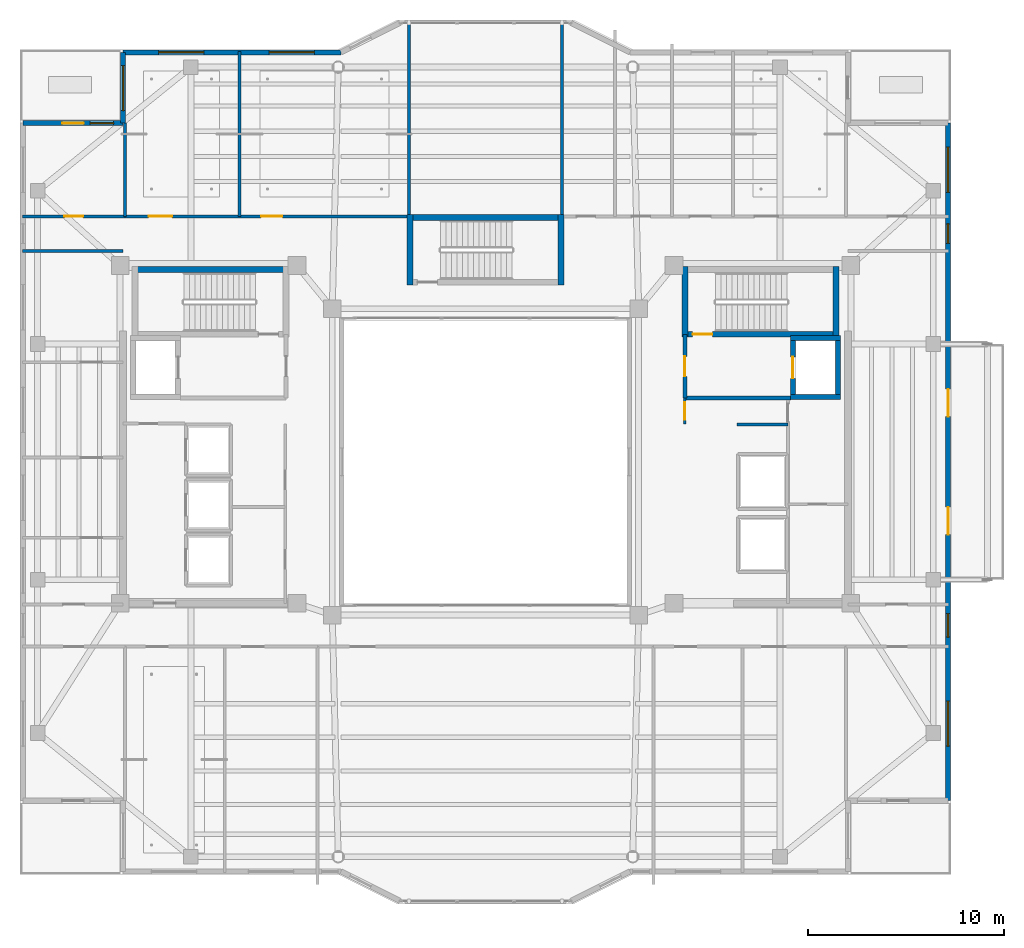
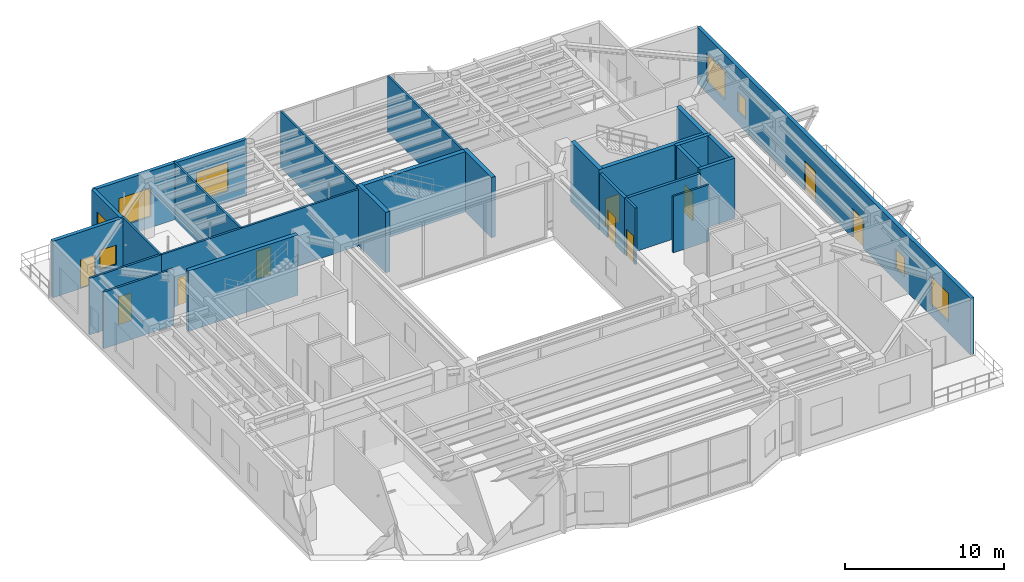
# One storey, part 14 of 23: 26 walls, 10 doors, 8 windows, 18 openings.
"""IFC4 building model written with IfcOpenShell, lengths in metres."""

from ifc_helpers import new_model, si_unit, direction, frame, frame_2d, origin, place, context, subcontext, project, spatial, rectangle, extrude, material, layer, layer_set, type_object, element, fill, save


model = new_model("IFC4")

# Units and contexts
model_context = context("Model", 3, precision=1e-05, world=origin(), true_north=direction((0.0, 1.0)))
body_context = subcontext(model_context, "Body", "Model", "MODEL_VIEW")
ifc_project = project(units=[si_unit("LENGTHUNIT", "METRE"), si_unit("AREAUNIT", "SQUARE_METRE"), si_unit("VOLUMEUNIT", "CUBIC_METRE"), si_unit("PLANEANGLEUNIT", "RADIAN"), si_unit("MASSUNIT", "GRAM", prefix="KILO")], contexts=[model_context])

# Site, building, storey
site_placement = place(None, origin())
site = spatial("IfcSite", under=ifc_project, at=site_placement, CompositionType="ELEMENT")
building_placement = place(site_placement, origin())
building = spatial("IfcBuilding", under=site, at=building_placement, Name="Tarnavaz Court Tower", CompositionType="ELEMENT")
storey_placement = place(building_placement, frame((0.0, 0.0, 227.10009765625)))
storey = spatial("IfcBuildingStorey", under=building, at=storey_placement, Name="L62", CompositionType="ELEMENT", Elevation=227.10009765625)

# Wall, opening, door
ifc_material_1 = material(Name="Concrete C50/60", Category="concrete")
ifc_layer_1 = layer(ifc_material_1, 0.25)
ifc_layer_set_1 = layer_set([ifc_layer_1], Name="Concrete C50/60")
wall_type_1 = type_object("IfcWallType", Name="WL-CORE-250-C50", PredefinedType="SHEAR", material=ifc_layer_set_1)
wall_1_placement = place(storey_placement, frame((15.64990234375, 3.175048828125, 0.0), z_axis=(0.0, 0.0, 1.0), x_axis=(0.0, 1.0, 0.0)))
wall_1 = element("IfcWall", 1, at=wall_1_placement, inside=storey, type_object=wall_type_1, Name="L62 Lift FL-E1 Shaft Wall 033", PredefinedType="SHEAR", context=body_context, shape_type="SweptSolid", body=[
    extrude(rectangle(XDim=3.25, YDim=0.25, at=frame_2d((1.625, 0.0))), origin(), (0.0, 0.0, 1.0), 4.64990234375),
])
opening_1_placement = place(wall_1_placement, frame((1.074951171875, 0.0, 0.0)))
opening_1 = element("IfcOpeningElement", 2, at=opening_1_placement, cuts=wall_1, Name="Opening LD1", PredefinedType="OPENING", context=body_context, shape_type="SweptSolid", body=[
    extrude(rectangle(XDim=1.10009765625, YDim=2.14990234375, at=frame_2d((0.550048828125, 1.074951171875))), frame((0.0, 0.135009765625, 0.0), z_axis=(0.0, -1.0, 0.0), x_axis=(1.0, 0.0, 0.0)), (0.0, 0.0, 1.0), 0.27001953125),
])
ifc_material_2 = material(Name="Stainless Steel", Category="steel")
door_type_1 = type_object("IfcDoorType", Name="DR-LD-1100", OperationType="NOTDEFINED", PredefinedType="DOOR", material=ifc_material_2)
door_1_placement = place(opening_1_placement, origin())
door_1 = element("IfcDoor", 3, at=door_1_placement, inside=storey, type_object=door_type_1, Name="L62 Lift Landing Door LD-FL-E1", OperationType="SLIDING_TO_LEFT", OverallHeight=2.14990234375, OverallWidth=1.10009765625, PredefinedType="DOOR", context=body_context, shape_type="SweptSolid", body=[
    extrude(rectangle(XDim=1.10009765625, YDim=2.14990234375, at=frame_2d((0.550048828125, 1.074951171875))), frame((0.0, 0.02490234375, 0.0), z_axis=(0.0, -1.0, 0.0), x_axis=(1.0, 0.0, 0.0)), (0.0, 0.0, 1.0), 0.050048828125),
])
fill(opening_1, door_1)

# Walls
wall_2_placement = place(storey_placement, frame((17.949951171875, 3.175048828125, 0.0), z_axis=(0.0, 0.0, 1.0), x_axis=(0.0, 1.0, 0.0)))
element("IfcWall", 4, at=wall_2_placement, inside=storey, type_object=wall_type_1, Name="L62 Lift FL-E1 Shaft Wall 034", PredefinedType="SHEAR", context=body_context, shape_type="SweptSolid", body=[
    extrude(rectangle(XDim=3.25, YDim=0.25, at=frame_2d((1.625, 0.0))), origin(), (0.0, 0.0, 1.0), 4.64990234375),
])
for number, where, z_axis, x_axis, name in (
    (5, (15.52490234375, 3.300048828125, 0.0), (0.0, 0.0, 1.0), (1.0, 0.0, 0.0), "L62 Lift FL-E1 Shaft Wall 035"),
    (6, (15.52490234375, 6.300048828125, 0.0), (0.0, 0.0, 1.0), (1.0, 0.0, 0.0), "L62 Lift FL-E1 Shaft Wall 036"),
):
    element("IfcWall", number, at=place(storey_placement, frame(where, z_axis=z_axis, x_axis=x_axis)), inside=storey, type_object=wall_type_1, Name=name, PredefinedType="SHEAR", context=body_context, shape_type="SweptSolid", body=[
        extrude(rectangle(XDim=2.550048828125, YDim=0.25, at=frame_2d((1.27490234375, 0.0))), origin(), (0.0, 0.0, 1.0), 4.64990234375),
    ])
ifc_layer_2 = layer(ifc_material_1, 0.300048828125)
ifc_layer_set_2 = layer_set([ifc_layer_2], Name="Concrete C50/60")
wall_type_2 = type_object("IfcWallType", Name="WL-CORE-300-C50", PredefinedType="SHEAR", material=ifc_layer_set_2)
wall_3_placement = place(storey_placement, frame((-18.0, 9.7900390625, 0.0), z_axis=(0.0, 0.0, 1.0), x_axis=(1.0, 0.0, 0.0)))
element("IfcWall", 7, at=wall_3_placement, inside=storey, type_object=wall_type_2, Name="L62 West Stair Core Wall 001", PredefinedType="SHEAR", context=body_context, shape_type="SweptSolid", body=[
    extrude(rectangle(XDim=8.0, YDim=0.300048828125, at=frame_2d((4.0, 0.0))), origin(), (0.0, 0.0, 1.0), 4.64990234375),
])

# Wall, opening, door
wall_4_placement = place(storey_placement, frame((10.0, 6.5, 0.0), z_axis=(0.0, 0.0, 1.0), x_axis=(1.0, 0.0, 0.0)))
wall_4 = element("IfcWall", 8, at=wall_4_placement, inside=storey, type_object=wall_type_2, Name="L62 East Stair Core Wall 006", PredefinedType="SHEAR", context=body_context, shape_type="SweptSolid", body=[
    extrude(rectangle(XDim=8.0, YDim=0.300048828125, at=frame_2d((4.0, 0.0))), origin(), (0.0, 0.0, 1.0), 4.64990234375),
])
opening_2_placement = place(wall_4_placement, frame((0.550048828125, 0.0, 0.0)))
opening_2 = element("IfcOpeningElement", 9, at=opening_2_placement, cuts=wall_4, Name="Opening D01", PredefinedType="OPENING", context=body_context, shape_type="SweptSolid", body=[
    extrude(rectangle(XDim=1.0, YDim=2.14990234375, at=frame_2d((0.5, 1.074951171875))), frame((0.0, 0.159912109375, 0.0), z_axis=(0.0, -1.0, 0.0), x_axis=(1.0, 0.0, 0.0)), (0.0, 0.0, 1.0), 0.320068359375),
])
ifc_material_3 = material(Name="Fire-Rated Hardwood Timber Core", Category="wood")
door_type_2 = type_object("IfcDoorType", Name="DR-FD90-1000", OperationType="NOTDEFINED", PredefinedType="DOOR", material=ifc_material_3)
door_2_placement = place(opening_2_placement, origin())
door_2 = element("IfcDoor", 10, at=door_2_placement, inside=storey, type_object=door_type_2, Name="L62 Stair ST-E1 Exit Door", OperationType="SINGLE_SWING_RIGHT", OverallHeight=2.14990234375, OverallWidth=1.0, PredefinedType="DOOR", context=body_context, shape_type="SweptSolid", body=[
    extrude(rectangle(XDim=1.0, YDim=2.14990234375, at=frame_2d((0.5, 1.074951171875))), frame((0.0, 0.02490234375, 0.0), z_axis=(0.0, -1.0, 0.0), x_axis=(1.0, 0.0, 0.0)), (0.0, 0.0, 1.0), 0.050048828125),
])
fill(opening_2, door_2)

# Walls
for number, where, z_axis, x_axis, name in (
    (11, (10.14990234375, 6.35009765625, 0.0), (0.0, 0.0, 1.0), (0.0, 1.0, 0.0), "L62 East Stair Core Wall 007"),
    (12, (17.85009765625, 6.35009765625, 0.0), (0.0, 0.0, 1.0), (0.0, 1.0, 0.0), "L62 East Stair Core Wall 008"),
):
    element("IfcWall", number, at=place(storey_placement, frame(where, z_axis=z_axis, x_axis=x_axis)), inside=storey, type_object=wall_type_2, Name=name, PredefinedType="SHEAR", context=body_context, shape_type="SweptSolid", body=[
        extrude(rectangle(XDim=3.58984375, YDim=0.300048828125, at=frame_2d((1.794921875, 0.0))), origin(), (0.0, 0.0, 1.0), 4.64990234375),
    ])
wall_5_placement = place(storey_placement, frame((-4.0, 12.43994140625, 0.0), z_axis=(0.0, 0.0, 1.0), x_axis=(1.0, 0.0, 0.0)))
element("IfcWall", 13, at=wall_5_placement, inside=storey, type_object=wall_type_2, Name="L62 North Stair Core Wall 009", PredefinedType="SHEAR", context=body_context, shape_type="SweptSolid", body=[
    extrude(rectangle(XDim=8.0, YDim=0.300048828125, at=frame_2d((4.0, 0.0))), origin(), (0.0, 0.0, 1.0), 4.64990234375),
])
for number, where, z_axis, x_axis, name in (
    (14, (-3.85009765625, 9.0, 0.0), (0.0, 0.0, 1.0), (0.0, 1.0, 0.0), "L62 North Stair Core Wall 011"),
    (15, (3.85009765625, 9.0, 0.0), (0.0, 0.0, 1.0), (0.0, 1.0, 0.0), "L62 North Stair Core Wall 012"),
):
    element("IfcWall", number, at=place(storey_placement, frame(where, z_axis=z_axis, x_axis=x_axis)), inside=storey, type_object=wall_type_2, Name=name, PredefinedType="SHEAR", context=body_context, shape_type="SweptSolid", body=[
        extrude(rectangle(XDim=3.590087890625, YDim=0.300048828125, at=frame_2d((1.794921875, 0.0))), origin(), (0.0, 0.0, 1.0), 4.64990234375),
    ])

# Wall, openings, door, window
ifc_material_4 = material(Name="Precast Concrete C40/50", Category="concrete")
ifc_layer_3 = layer(ifc_material_4, 0.260009765625)
ifc_layer_set_3 = layer_set([ifc_layer_3], Name="Precast Concrete C40/50")
wall_type_3 = type_object("IfcWallType", Name="WL-EXT-260", PredefinedType="SOLIDWALL", material=ifc_layer_set_3)
wall_6_placement = place(storey_placement, frame((-23.550048828125, 17.25, 0.0), z_axis=(0.0, 0.0, 1.0), x_axis=(1.0, 0.0, 0.0)))
wall_6 = element("IfcWall", 16, at=wall_6_placement, inside=storey, type_object=wall_type_3, Name="L62 Exterior Terracotta Facade Wall 03", PredefinedType="SOLIDWALL", context=body_context, shape_type="SweptSolid", body=[
    extrude(rectangle(XDim=5.10009765625, YDim=0.260009765625, at=frame_2d((2.550048828125, 0.0))), origin(), (0.0, 0.0, 1.0), 4.349853515625),
])
opening_3_placement = place(wall_6_placement, frame((2.0, 0.0, 0.0)))
opening_3 = element("IfcOpeningElement", 17, at=opening_3_placement, cuts=wall_6, Name="Opening TD1", PredefinedType="OPENING", context=body_context, shape_type="SweptSolid", body=[
    extrude(rectangle(XDim=1.10009765625, YDim=2.199951171875, at=frame_2d((0.550048828125, 1.10009765625))), frame((0.0, 0.139892578125, 0.0), z_axis=(0.0, -1.0, 0.0), x_axis=(1.0, 0.0, 0.0)), (0.0, 0.0, 1.0), 0.280029296875),
])
opening_4_placement = place(wall_6_placement, frame((3.419921875, 0.0, 0.949951171875)))
opening_4 = element("IfcOpeningElement", 18, at=opening_4_placement, cuts=wall_6, Name="Opening W05", PredefinedType="OPENING", context=body_context, shape_type="SweptSolid", body=[
    extrude(rectangle(XDim=1.199951171875, YDim=1.5, at=frame_2d((0.60009765625, 0.75))), frame((0.0, 0.139892578125, 0.0), z_axis=(0.0, -1.0, 0.0), x_axis=(1.0, 0.0, 0.0)), (0.0, 0.0, 1.0), 0.280029296875),
])
ifc_material_5 = material(Name="Thermally Broken Aluminium and Laminated Glass", Category="aluminium")
door_type_3 = type_object("IfcDoorType", Name="DR-TERR-1100", OperationType="NOTDEFINED", PredefinedType="DOOR", material=ifc_material_5)
door_3_placement = place(opening_3_placement, origin())
door_3 = element("IfcDoor", 19, at=door_3_placement, inside=storey, type_object=door_type_3, Name="L62 Sky Terrace Access Door 2", OperationType="SINGLE_SWING_RIGHT", OverallHeight=2.199951171875, OverallWidth=1.10009765625, PredefinedType="DOOR", context=body_context, shape_type="SweptSolid", body=[
    extrude(rectangle(XDim=1.10009765625, YDim=2.199951171875, at=frame_2d((0.550048828125, 1.10009765625))), frame((0.0, 0.02490234375, 0.0), z_axis=(0.0, -1.0, 0.0), x_axis=(1.0, 0.0, 0.0)), (0.0, 0.0, 1.0), 0.050048828125),
])
fill(opening_3, door_3)
ifc_material_6 = material(Name="Double-Glazed Solar Low-E Glass", Category="glass")
window_type_1 = type_object("IfcWindowType", Name="WN-APT-1200", PartitioningType="SINGLE_PANEL", PredefinedType="WINDOW", material=ifc_material_6)
window_1_placement = place(opening_4_placement, origin())
window_1 = element("IfcWindow", 20, at=window_1_placement, inside=storey, type_object=window_type_1, Name="L62 L62 NW Terrace Salon Window", OverallHeight=1.5, OverallWidth=1.199951171875, PartitioningType="SINGLE_PANEL", PredefinedType="WINDOW", context=body_context, shape_type="SweptSolid", body=[
    extrude(rectangle(XDim=1.199951171875, YDim=1.5, at=frame_2d((0.60009765625, 0.75))), frame((0.0, 0.030029296875, 0.0), z_axis=(0.0, -1.0, 0.0), x_axis=(1.0, 0.0, 0.0)), (0.0, 0.0, 1.0), 0.06005859375),
])
fill(opening_4, window_1)

# Wall, opening, window
wall_7_placement = place(storey_placement, frame((-18.449951171875, 17.25, 0.0), z_axis=(0.0, 0.0, 1.0), x_axis=(0.0, 1.0, 0.0)))
wall_7 = element("IfcWall", 21, at=wall_7_placement, inside=storey, type_object=wall_type_3, Name="L62 Exterior Terracotta Facade Wall 04", PredefinedType="SOLIDWALL", context=body_context, shape_type="SweptSolid", body=[
    extrude(rectangle(XDim=3.60009765625, YDim=0.260009765625, at=frame_2d((1.800048828125, 0.0))), origin(), (0.0, 0.0, 1.0), 4.349853515625),
])
opening_5_placement = place(wall_7_placement, frame((0.632568359375, 0.0, 0.85009765625)))
opening_5 = element("IfcOpeningElement", 22, at=opening_5_placement, cuts=wall_7, Name="Opening W12", PredefinedType="OPENING", context=body_context, shape_type="SweptSolid", body=[
    extrude(rectangle(XDim=2.300048828125, YDim=2.199951171875, at=frame_2d((1.14990234375, 1.10009765625))), frame((0.0, 0.139892578125, 0.0), z_axis=(0.0, -1.0, 0.0), x_axis=(1.0, 0.0, 0.0)), (0.0, 0.0, 1.0), 0.280029296875),
])
window_type_2 = type_object("IfcWindowType", Name="WN-COM-2300", PartitioningType="DOUBLE_PANEL_VERTICAL", PredefinedType="WINDOW", material=ifc_material_6)
window_2_placement = place(opening_5_placement, origin())
window_2 = element("IfcWindow", 23, at=window_2_placement, inside=storey, type_object=window_type_2, Name="L62 Sky-Pool Residents Lounge Window", OverallHeight=2.199951171875, OverallWidth=2.300048828125, PartitioningType="SINGLE_PANEL", PredefinedType="WINDOW", context=body_context, shape_type="SweptSolid", body=[
    extrude(rectangle(XDim=2.300048828125, YDim=2.199951171875, at=frame_2d((1.14990234375, 1.10009765625))), frame((0.0, 0.030029296875, 0.0), z_axis=(0.0, -1.0, 0.0), x_axis=(1.0, 0.0, 0.0)), (0.0, 0.0, 1.0), 0.06005859375),
])
fill(opening_5, window_2)

# Wall, openings, windows
wall_8_placement = place(storey_placement, frame((-18.449951171875, 20.85009765625, 0.0), z_axis=(0.0, 0.0, 1.0), x_axis=(1.0, 0.0, 0.0)))
wall_8 = element("IfcWall", 24, at=wall_8_placement, inside=storey, type_object=wall_type_3, Name="L62 Exterior Terracotta Facade Wall 05", PredefinedType="SOLIDWALL", context=body_context, shape_type="SweptSolid", body=[
    extrude(rectangle(XDim=11.099853515625, YDim=0.260009765625, at=frame_2d((5.5498046875, 0.0))), origin(), (0.0, 0.0, 1.0), 4.349853515625),
])
opening_6_placement = place(wall_8_placement, frame((1.813232421875, 0.0, 0.85009765625)))
opening_6 = element("IfcOpeningElement", 25, at=opening_6_placement, cuts=wall_8, Name="Opening W12", PredefinedType="OPENING", context=body_context, shape_type="SweptSolid", body=[
    extrude(rectangle(XDim=2.300048828125, YDim=2.199951171875, at=frame_2d((1.14990234375, 1.10009765625))), frame((0.0, 0.139892578125, 0.0), z_axis=(0.0, -1.0, 0.0), x_axis=(1.0, 0.0, 0.0)), (0.0, 0.0, 1.0), 0.280029296875),
])
opening_7_placement = place(wall_8_placement, frame((7.438720703125, 0.0, 0.85009765625)))
opening_7 = element("IfcOpeningElement", 26, at=opening_7_placement, cuts=wall_8, Name="Opening W12", PredefinedType="OPENING", context=body_context, shape_type="SweptSolid", body=[
    extrude(rectangle(XDim=2.300048828125, YDim=2.199951171875, at=frame_2d((1.14990234375, 1.10009765625))), frame((0.0, 0.139892578125, 0.0), z_axis=(0.0, -1.0, 0.0), x_axis=(1.0, 0.0, 0.0)), (0.0, 0.0, 1.0), 0.280029296875),
])
window_3_placement = place(opening_6_placement, origin())
window_3 = element("IfcWindow", 27, at=window_3_placement, inside=storey, type_object=window_type_2, Name="L62 Sky-Pool Residents Lounge Window", OverallHeight=2.199951171875, OverallWidth=2.300048828125, PartitioningType="SINGLE_PANEL", PredefinedType="WINDOW", context=body_context, shape_type="SweptSolid", body=[
    extrude(rectangle(XDim=2.300048828125, YDim=2.199951171875, at=frame_2d((1.14990234375, 1.10009765625))), frame((0.0, 0.030029296875, 0.0), z_axis=(0.0, -1.0, 0.0), x_axis=(1.0, 0.0, 0.0)), (0.0, 0.0, 1.0), 0.06005859375),
])
fill(opening_6, window_3)
window_4_placement = place(opening_7_placement, origin())
window_4 = element("IfcWindow", 28, at=window_4_placement, inside=storey, type_object=window_type_2, Name="L62 Aquatic Fitness and Yoga Studio Window", OverallHeight=2.199951171875, OverallWidth=2.300048828125, PartitioningType="SINGLE_PANEL", PredefinedType="WINDOW", context=body_context, shape_type="SweptSolid", body=[
    extrude(rectangle(XDim=2.300048828125, YDim=2.199951171875, at=frame_2d((1.14990234375, 1.10009765625))), frame((0.0, 0.030029296875, 0.0), z_axis=(0.0, -1.0, 0.0), x_axis=(1.0, 0.0, 0.0)), (0.0, 0.0, 1.0), 0.06005859375),
])
fill(opening_7, window_4)

# Wall, openings, doors, windows
wall_9_placement = place(storey_placement, frame((23.550048828125, 17.25, 0.0), z_axis=(0.0, 0.0, 1.0), x_axis=(0.0, -1.0, 0.0)))
wall_9 = element("IfcWall", 29, at=wall_9_placement, inside=storey, type_object=wall_type_3, Name="L62 Exterior Terracotta Facade Wall 12", PredefinedType="SOLIDWALL", context=body_context, shape_type="SweptSolid", body=[
    extrude(rectangle(XDim=34.5, YDim=0.260009765625, at=frame_2d((17.25, 0.0))), origin(), (0.0, 0.0, 1.0), 4.349853515625),
])
opening_8_placement = place(wall_9_placement, frame((13.550048828125, 0.0, 0.0)))
opening_8 = element("IfcOpeningElement", 30, at=opening_8_placement, cuts=wall_9, Name="Opening PD1", PredefinedType="OPENING", context=body_context, shape_type="SweptSolid", body=[
    extrude(rectangle(XDim=1.39990234375, YDim=2.25, at=frame_2d((0.699951171875, 1.125))), frame((0.0, 0.139892578125, 0.0), z_axis=(0.0, -1.0, 0.0), x_axis=(1.0, 0.0, 0.0)), (0.0, 0.0, 1.0), 0.280029296875),
])
opening_9_placement = place(wall_9_placement, frame((19.550048828125, 0.0, 0.0)))
opening_9 = element("IfcOpeningElement", 31, at=opening_9_placement, cuts=wall_9, Name="Opening PD1", PredefinedType="OPENING", context=body_context, shape_type="SweptSolid", body=[
    extrude(rectangle(XDim=1.39990234375, YDim=2.25, at=frame_2d((0.699951171875, 1.125))), frame((0.0, 0.139892578125, 0.0), z_axis=(0.0, -1.0, 0.0), x_axis=(1.0, 0.0, 0.0)), (0.0, 0.0, 1.0), 0.280029296875),
])
opening_10_placement = place(wall_9_placement, frame((1.22509765625, 0.0, 0.85009765625)))
opening_10 = element("IfcOpeningElement", 32, at=opening_10_placement, cuts=wall_9, Name="Opening W12", PredefinedType="OPENING", context=body_context, shape_type="SweptSolid", body=[
    extrude(rectangle(XDim=2.300048828125, YDim=2.199951171875, at=frame_2d((1.14990234375, 1.10009765625))), frame((0.0, 0.139892578125, 0.0), z_axis=(0.0, -1.0, 0.0), x_axis=(1.0, 0.0, 0.0)), (0.0, 0.0, 1.0), 0.280029296875),
])
opening_11_placement = place(wall_9_placement, frame((5.125, 0.0, 0.949951171875)))
opening_11 = element("IfcOpeningElement", 33, at=opening_11_placement, cuts=wall_9, Name="Opening W14", PredefinedType="OPENING", context=body_context, shape_type="SweptSolid", body=[
    extrude(rectangle(XDim=1.0, YDim=1.5, at=frame_2d((0.5, 0.75))), frame((0.0, 0.139892578125, 0.0), z_axis=(0.0, -1.0, 0.0), x_axis=(1.0, 0.0, 0.0)), (0.0, 0.0, 1.0), 0.280029296875),
])
opening_12_placement = place(wall_9_placement, frame((24.97509765625, 0.0, 0.949951171875)))
opening_12 = element("IfcOpeningElement", 34, at=opening_12_placement, cuts=wall_9, Name="Opening W05", PredefinedType="OPENING", context=body_context, shape_type="SweptSolid", body=[
    extrude(rectangle(XDim=1.199951171875, YDim=1.5, at=frame_2d((0.60009765625, 0.75))), frame((0.0, 0.139892578125, 0.0), z_axis=(0.0, -1.0, 0.0), x_axis=(1.0, 0.0, 0.0)), (0.0, 0.0, 1.0), 0.280029296875),
])
opening_13_placement = place(wall_9_placement, frame((29.425048828125, 0.0, 0.85009765625)))
opening_13 = element("IfcOpeningElement", 35, at=opening_13_placement, cuts=wall_9, Name="Opening W12", PredefinedType="OPENING", context=body_context, shape_type="SweptSolid", body=[
    extrude(rectangle(XDim=2.300048828125, YDim=2.199951171875, at=frame_2d((1.14990234375, 1.10009765625))), frame((0.0, 0.139892578125, 0.0), z_axis=(0.0, -1.0, 0.0), x_axis=(1.0, 0.0, 0.0)), (0.0, 0.0, 1.0), 0.280029296875),
])
door_type_4 = type_object("IfcDoorType", Name="DR-POOL-1400", OperationType="NOTDEFINED", PredefinedType="DOOR", material=ifc_material_5)
door_4_placement = place(opening_8_placement, origin())
door_4 = element("IfcDoor", 36, at=door_4_placement, inside=storey, type_object=door_type_4, Name="L62 Cantilevered Sky-Pool Deck Door 1", OperationType="DOUBLE_DOOR_SINGLE_SWING", OverallHeight=2.25, OverallWidth=1.39990234375, PredefinedType="DOOR", context=body_context, shape_type="SweptSolid", body=[
    extrude(rectangle(XDim=1.39990234375, YDim=2.25, at=frame_2d((0.699951171875, 1.125))), frame((0.0, 0.02490234375, 0.0), z_axis=(0.0, -1.0, 0.0), x_axis=(1.0, 0.0, 0.0)), (0.0, 0.0, 1.0), 0.050048828125),
])
fill(opening_8, door_4)
door_5_placement = place(opening_9_placement, origin())
door_5 = element("IfcDoor", 37, at=door_5_placement, inside=storey, type_object=door_type_4, Name="L62 Cantilevered Sky-Pool Deck Door 2", OperationType="DOUBLE_DOOR_SINGLE_SWING", OverallHeight=2.25, OverallWidth=1.39990234375, PredefinedType="DOOR", context=body_context, shape_type="SweptSolid", body=[
    extrude(rectangle(XDim=1.39990234375, YDim=2.25, at=frame_2d((0.699951171875, 1.125))), frame((0.0, 0.02490234375, 0.0), z_axis=(0.0, -1.0, 0.0), x_axis=(1.0, 0.0, 0.0)), (0.0, 0.0, 1.0), 0.050048828125),
])
fill(opening_9, door_5)
window_type_3 = type_object("IfcWindowType", Name="WN-APT-1000", PartitioningType="SINGLE_PANEL", PredefinedType="WINDOW", material=ifc_material_6)
window_5_placement = place(opening_11_placement, origin())
window_5 = element("IfcWindow", 38, at=window_5_placement, inside=storey, type_object=window_type_3, Name="L62 NE Terrace Lobby Window", OverallHeight=1.5, OverallWidth=1.0, PartitioningType="SINGLE_PANEL", PredefinedType="WINDOW", context=body_context, shape_type="SweptSolid", body=[
    extrude(rectangle(XDim=1.0, YDim=1.5, at=frame_2d((0.5, 0.75))), frame((0.0, 0.030029296875, 0.0), z_axis=(0.0, -1.0, 0.0), x_axis=(1.0, 0.0, 0.0)), (0.0, 0.0, 1.0), 0.06005859375),
])
fill(opening_11, window_5)
window_6_placement = place(opening_12_placement, origin())
window_6 = element("IfcWindow", 39, at=window_6_placement, inside=storey, type_object=window_type_1, Name="L62 SE Terrace Lobby Window", OverallHeight=1.5, OverallWidth=1.199951171875, PartitioningType="SINGLE_PANEL", PredefinedType="WINDOW", context=body_context, shape_type="SweptSolid", body=[
    extrude(rectangle(XDim=1.199951171875, YDim=1.5, at=frame_2d((0.60009765625, 0.75))), frame((0.0, 0.030029296875, 0.0), z_axis=(0.0, -1.0, 0.0), x_axis=(1.0, 0.0, 0.0)), (0.0, 0.0, 1.0), 0.06005859375),
])
fill(opening_12, window_6)
window_7_placement = place(opening_10_placement, origin())
window_7 = element("IfcWindow", 40, at=window_7_placement, inside=storey, type_object=window_type_2, Name="L62 L62 NE Terrace Salon Window", OverallHeight=2.199951171875, OverallWidth=2.300048828125, PartitioningType="SINGLE_PANEL", PredefinedType="WINDOW", context=body_context, shape_type="SweptSolid", body=[
    extrude(rectangle(XDim=2.300048828125, YDim=2.199951171875, at=frame_2d((1.14990234375, 1.10009765625))), frame((0.0, 0.030029296875, 0.0), z_axis=(0.0, -1.0, 0.0), x_axis=(1.0, 0.0, 0.0)), (0.0, 0.0, 1.0), 0.06005859375),
])
fill(opening_10, window_7)
window_8_placement = place(opening_13_placement, origin())
window_8 = element("IfcWindow", 41, at=window_8_placement, inside=storey, type_object=window_type_2, Name="L62 L62 SE Terrace Salon Window", OverallHeight=2.199951171875, OverallWidth=2.300048828125, PartitioningType="SINGLE_PANEL", PredefinedType="WINDOW", context=body_context, shape_type="SweptSolid", body=[
    extrude(rectangle(XDim=2.300048828125, YDim=2.199951171875, at=frame_2d((1.14990234375, 1.10009765625))), frame((0.0, 0.030029296875, 0.0), z_axis=(0.0, -1.0, 0.0), x_axis=(1.0, 0.0, 0.0)), (0.0, 0.0, 1.0), 0.06005859375),
])
fill(opening_13, window_8)

# Wall, openings, doors
ifc_material_7 = material(Name="Gypsum Fire-Board on Acoustic Metal Stud", Category="masonry")
ifc_layer_4 = layer(ifc_material_7, 0.14990234375)
ifc_layer_set_4 = layer_set([ifc_layer_4], Name="Gypsum Fire-Board on Acoustic Metal Stud")
wall_type_4 = type_object("IfcWallType", Name="WL-FIRE-150", PredefinedType="PARTITIONING", material=ifc_layer_set_4)
wall_10_placement = place(storey_placement, frame((-18.35009765625, 12.5, 0.0), z_axis=(0.0, 0.0, 1.0), x_axis=(1.0, 0.0, 0.0)))
wall_10 = element("IfcWall", 42, at=wall_10_placement, inside=storey, type_object=wall_type_4, Name="L62 NW Wing Corridor Wall 056", PredefinedType="PARTITIONING", context=body_context, shape_type="SweptSolid", body=[
    extrude(rectangle(XDim=14.5, YDim=0.14990234375, at=frame_2d((7.25, 0.0))), origin(), (0.0, 0.0, 1.0), 4.349853515625),
])
opening_14_placement = place(wall_10_placement, frame((1.199951171875, 0.0, 0.0)))
opening_14 = element("IfcOpeningElement", 43, at=opening_14_placement, cuts=wall_10, Name="Opening D11", PredefinedType="OPENING", context=body_context, shape_type="SweptSolid", body=[
    extrude(rectangle(XDim=1.199951171875, YDim=2.14990234375, at=frame_2d((0.60009765625, 1.074951171875))), frame((0.0, 0.0849609375, 0.0), z_axis=(0.0, -1.0, 0.0), x_axis=(1.0, 0.0, 0.0)), (0.0, 0.0, 1.0), 0.169921875),
])
opening_15_placement = place(wall_10_placement, frame((6.931884765625, 0.0, 0.0)))
opening_15 = element("IfcOpeningElement", 44, at=opening_15_placement, cuts=wall_10, Name="Opening D12", PredefinedType="OPENING", context=body_context, shape_type="SweptSolid", body=[
    extrude(rectangle(XDim=1.080078125, YDim=2.14990234375, at=frame_2d((0.5400390625, 1.074951171875))), frame((0.0, 0.0849609375, 0.0), z_axis=(0.0, -1.0, 0.0), x_axis=(1.0, 0.0, 0.0)), (0.0, 0.0, 1.0), 0.169921875),
])
ifc_material_8 = material(Name="Engineered Oak Timber", Category="wood")
door_type_5 = type_object("IfcDoorType", Name="DR-INT-1100", OperationType="NOTDEFINED", PredefinedType="DOOR", material=ifc_material_8)
door_6_placement = place(opening_15_placement, origin())
door_6 = element("IfcDoor", 45, at=door_6_placement, inside=storey, type_object=door_type_5, Name="L62 Aquatic Fitness and Yoga Studio Door", OperationType="SINGLE_SWING_LEFT", OverallHeight=2.14990234375, OverallWidth=1.080078125, PredefinedType="DOOR", context=body_context, shape_type="SweptSolid", body=[
    extrude(rectangle(XDim=1.080078125, YDim=2.14990234375, at=frame_2d((0.5400390625, 1.074951171875))), frame((0.0, 0.02490234375, 0.0), z_axis=(0.0, -1.0, 0.0), x_axis=(1.0, 0.0, 0.0)), (0.0, 0.0, 1.0), 0.050048828125),
])
fill(opening_15, door_6)
door_type_6 = type_object("IfcDoorType", Name="DR-INT-1200", OperationType="NOTDEFINED", PredefinedType="DOOR", material=ifc_material_8)
door_7_placement = place(opening_14_placement, origin())
door_7 = element("IfcDoor", 46, at=door_7_placement, inside=storey, type_object=door_type_6, Name="L62 Sky-Pool Residents Lounge Door", OperationType="SINGLE_SWING_RIGHT", OverallHeight=2.14990234375, OverallWidth=1.199951171875, PredefinedType="DOOR", context=body_context, shape_type="SweptSolid", body=[
    extrude(rectangle(XDim=1.199951171875, YDim=2.14990234375, at=frame_2d((0.60009765625, 1.074951171875))), frame((0.0, 0.02490234375, 0.0), z_axis=(0.0, -1.0, 0.0), x_axis=(1.0, 0.0, 0.0)), (0.0, 0.0, 1.0), 0.050048828125),
])
fill(opening_14, door_7)

# Wall
wall_11_placement = place(storey_placement, frame((-23.580078125, 10.75, 0.0), z_axis=(0.0, 0.0, 1.0), x_axis=(1.0, 0.0, 0.0)))
element("IfcWall", 47, at=wall_11_placement, inside=storey, type_object=wall_type_4, Name="L62 Interior Partition 073", PredefinedType="PARTITIONING", context=body_context, shape_type="SweptSolid", body=[
    extrude(rectangle(XDim=5.130126953125, YDim=0.14990234375, at=frame_2d((2.56494140625, 0.0))), origin(), (0.0, 0.0, 1.0), 4.349853515625),
])

# Wall, opening, door
wall_12_placement = place(storey_placement, frame((-23.580078125, 12.5, 0.0), z_axis=(0.0, 0.0, 1.0), x_axis=(1.0, 0.0, 0.0)))
wall_12 = element("IfcWall", 48, at=wall_12_placement, inside=storey, type_object=wall_type_4, Name="L62 Interior Partition 079", PredefinedType="PARTITIONING", context=body_context, shape_type="SweptSolid", body=[
    extrude(rectangle(XDim=5.22998046875, YDim=0.14990234375, at=frame_2d((2.614990234375, 0.0))), origin(), (0.0, 0.0, 1.0), 4.349853515625),
])
opening_16_placement = place(wall_12_placement, frame((2.139892578125, 0.0, 0.0)))
opening_16 = element("IfcOpeningElement", 49, at=opening_16_placement, cuts=wall_12, Name="Opening D13", PredefinedType="OPENING", context=body_context, shape_type="SweptSolid", body=[
    extrude(rectangle(XDim=0.949951171875, YDim=2.14990234375, at=frame_2d((0.47509765625, 1.074951171875))), frame((0.0, 0.0849609375, 0.0), z_axis=(0.0, -1.0, 0.0), x_axis=(1.0, 0.0, 0.0)), (0.0, 0.0, 1.0), 0.169921875),
])
door_type_7 = type_object("IfcDoorType", Name="DR-INT-950", OperationType="NOTDEFINED", PredefinedType="DOOR", material=ifc_material_8)
door_8_placement = place(opening_16_placement, origin())
door_8 = element("IfcDoor", 50, at=door_8_placement, inside=storey, type_object=door_type_7, Name="L62 NW Terrace Salon Door", OperationType="SINGLE_SWING_LEFT", OverallHeight=2.14990234375, OverallWidth=0.949951171875, PredefinedType="DOOR", context=body_context, shape_type="SweptSolid", body=[
    extrude(rectangle(XDim=0.949951171875, YDim=2.14990234375, at=frame_2d((0.47509765625, 1.074951171875))), frame((0.0, 0.02490234375, 0.0), z_axis=(0.0, -1.0, 0.0), x_axis=(1.0, 0.0, 0.0)), (0.0, 0.0, 1.0), 0.050048828125),
])
fill(opening_16, door_8)

# Wall
ifc_material_9 = material(Name="Autoclaved Aerated Concrete Blockwork", Category="masonry")
ifc_layer_5 = layer(ifc_material_9, 0.199951171875)
ifc_layer_set_5 = layer_set([ifc_layer_5], Name="Autoclaved Aerated Concrete Blockwork")
wall_type_5 = type_object("IfcWallType", Name="WL-FIRE-200", PredefinedType="SOLIDWALL", material=ifc_layer_set_5)
wall_13_placement = place(storey_placement, frame((10.14990234375, 3.25, 0.0), z_axis=(0.0, 0.0, 1.0), x_axis=(1.0, 0.0, 0.0)))
element("IfcWall", 51, at=wall_13_placement, inside=storey, type_object=wall_type_5, Name="L62 East Firefighting Lobby Wall 015", PredefinedType="SOLIDWALL", context=body_context, shape_type="SweptSolid", body=[
    extrude(rectangle(XDim=5.400146484375, YDim=0.199951171875, at=frame_2d((2.7001953125, 0.0))), origin(), (0.0, 0.0, 1.0), 4.349853515625),
])

# Wall, opening, door
wall_14_placement = place(storey_placement, frame((10.14990234375, 3.25, 0.0), z_axis=(0.0, 0.0, 1.0), x_axis=(0.0, 1.0, 0.0)))
wall_14 = element("IfcWall", 52, at=wall_14_placement, inside=storey, type_object=wall_type_5, Name="L62 East Firefighting Lobby Wall 016", PredefinedType="SOLIDWALL", context=body_context, shape_type="SweptSolid", body=[
    extrude(rectangle(XDim=3.25, YDim=0.199951171875, at=frame_2d((1.625, 0.0))), origin(), (0.0, 0.0, 1.0), 4.349853515625),
])
opening_17_placement = place(wall_14_placement, frame((1.10009765625, 0.0, 0.0)))
opening_17 = element("IfcOpeningElement", 53, at=opening_17_placement, cuts=wall_14, Name="Opening D05", PredefinedType="OPENING", context=body_context, shape_type="SweptSolid", body=[
    extrude(rectangle(XDim=1.02001953125, YDim=2.14990234375, at=frame_2d((0.510009765625, 1.074951171875))), frame((0.0, 0.10986328125, 0.0), z_axis=(0.0, -1.0, 0.0), x_axis=(1.0, 0.0, 0.0)), (0.0, 0.0, 1.0), 0.219970703125),
])
door_type_8 = type_object("IfcDoorType", Name="DR-FD60-1000", OperationType="NOTDEFINED", PredefinedType="DOOR", material=ifc_material_3)
door_9_placement = place(opening_17_placement, origin())
door_9 = element("IfcDoor", 54, at=door_9_placement, inside=storey, type_object=door_type_8, Name="L62 East Firefighting Lobby Door", OperationType="SINGLE_SWING_LEFT", OverallHeight=2.14990234375, OverallWidth=1.02001953125, PredefinedType="DOOR", context=body_context, shape_type="SweptSolid", body=[
    extrude(rectangle(XDim=1.02001953125, YDim=2.14990234375, at=frame_2d((0.510009765625, 1.074951171875))), frame((0.0, 0.02490234375, 0.0), z_axis=(0.0, -1.0, 0.0), x_axis=(1.0, 0.0, 0.0)), (0.0, 0.0, 1.0), 0.050048828125),
])
fill(opening_17, door_9)

# Wall
ifc_material_10 = material(Name="Gypsum Plasterboard Acoustic Partition", Category="masonry")
ifc_layer_6 = layer(ifc_material_10, 0.139892578125)
ifc_layer_set_6 = layer_set([ifc_layer_6], Name="Gypsum Plasterboard Acoustic Partition")
wall_type_6 = type_object("IfcWallType", Name="WL-PART-150", PredefinedType="PARTITIONING", material=ifc_layer_set_6)
wall_15_placement = place(storey_placement, frame((12.800048828125, 1.89990234375, 0.0), z_axis=(0.0, 0.0, 1.0), x_axis=(1.0, 0.0, 0.0)))
element("IfcWall", 55, at=wall_15_placement, inside=storey, type_object=wall_type_6, Name="L62 Interior Partition 052", PredefinedType="PARTITIONING", context=body_context, shape_type="SweptSolid", body=[
    extrude(rectangle(XDim=2.599853515625, YDim=0.139892578125, at=frame_2d((1.2998046875, 0.0))), origin(), (0.0, 0.0, 1.0), 4.349853515625),
])

# Wall, opening, door
wall_16_placement = place(storey_placement, frame((10.14990234375, 1.919921875, 0.0), z_axis=(0.0, 0.0, 1.0), x_axis=(0.0, 1.0, 0.0)))
wall_16 = element("IfcWall", 56, at=wall_16_placement, inside=storey, type_object=wall_type_6, Name="L62 Interior Partition 053", PredefinedType="PARTITIONING", context=body_context, shape_type="SweptSolid", body=[
    extrude(rectangle(XDim=1.330078125, YDim=0.139892578125, at=frame_2d((0.6650390625, 0.0))), origin(), (0.0, 0.0, 1.0), 4.349853515625),
])
opening_18_placement = place(wall_16_placement, frame((0.219970703125, 0.0, 0.0)))
opening_18 = element("IfcOpeningElement", 57, at=opening_18_placement, cuts=wall_16, Name="Opening D09", PredefinedType="OPENING", context=body_context, shape_type="SweptSolid", body=[
    extrude(rectangle(XDim=0.89990234375, YDim=2.080078125, at=frame_2d((0.449951171875, 1.0400390625))), frame((0.0, 0.079833984375, 0.0), z_axis=(0.0, -1.0, 0.0), x_axis=(1.0, 0.0, 0.0)), (0.0, 0.0, 1.0), 0.159912109375),
])
door_type_9 = type_object("IfcDoorType", Name="DR-FD30-900", OperationType="NOTDEFINED", PredefinedType="DOOR", material=ifc_material_3)
door_10_placement = place(opening_18_placement, origin())
door_10 = element("IfcDoor", 58, at=door_10_placement, inside=storey, type_object=door_type_9, Name="L62 East Core Service Lobby Door", OperationType="SINGLE_SWING_LEFT", OverallHeight=2.080078125, OverallWidth=0.89990234375, PredefinedType="DOOR", context=body_context, shape_type="SweptSolid", body=[
    extrude(rectangle(XDim=0.89990234375, YDim=2.080078125, at=frame_2d((0.449951171875, 1.0400390625))), frame((0.0, 0.02490234375, 0.0), z_axis=(0.0, -1.0, 0.0), x_axis=(1.0, 0.0, 0.0)), (0.0, 0.0, 1.0), 0.050048828125),
])
fill(opening_18, door_10)

# Walls
for number, where, z_axis, x_axis, name in (
    (59, (-3.89990234375, 12.5, 0.0), (0.0, 0.0, 1.0), (0.0, 1.0, 0.0), "L62 Interior Partition 060"),
    (60, (3.89990234375, 12.5, 0.0), (0.0, 0.0, 1.0), (0.0, 1.0, 0.0), "L62 Interior Partition 061"),
):
    element("IfcWall", number, at=place(storey_placement, frame(where, z_axis=z_axis, x_axis=x_axis)), inside=storey, type_object=wall_type_6, Name=name, PredefinedType="PARTITIONING", context=body_context, shape_type="SweptSolid", body=[
        extrude(rectangle(XDim=9.8798828125, YDim=0.139892578125, at=frame_2d((4.93994140625, 0.0))), origin(), (0.0, 0.0, 1.0), 4.349853515625),
    ])
wall_17_placement = place(storey_placement, frame((-12.51806640625, 12.5, 0.0), z_axis=(0.0, 0.0, 1.0), x_axis=(0.0, 1.0, 0.0)))
element("IfcWall", 61, at=wall_17_placement, inside=storey, type_object=wall_type_6, Name="L62 Interior Partition 062", PredefinedType="PARTITIONING", context=body_context, shape_type="SweptSolid", body=[
    extrude(rectangle(XDim=8.39990234375, YDim=0.139892578125, at=frame_2d((4.199951171875, 0.0))), origin(), (0.0, 0.0, 1.0), 4.349853515625),
])
wall_18_placement = place(storey_placement, frame((-18.35009765625, 12.5, 0.0), z_axis=(0.0, 0.0, 1.0), x_axis=(0.0, 1.0, 0.0)))
element("IfcWall", 62, at=wall_18_placement, inside=storey, type_object=wall_type_6, Name="L62 Interior Partition 077", PredefinedType="PARTITIONING", context=body_context, shape_type="SweptSolid", body=[
    extrude(rectangle(XDim=4.75, YDim=0.139892578125, at=frame_2d((2.375, 0.0))), origin(), (0.0, 0.0, 1.0), 4.349853515625),
])

save(model, "model.ifc")
